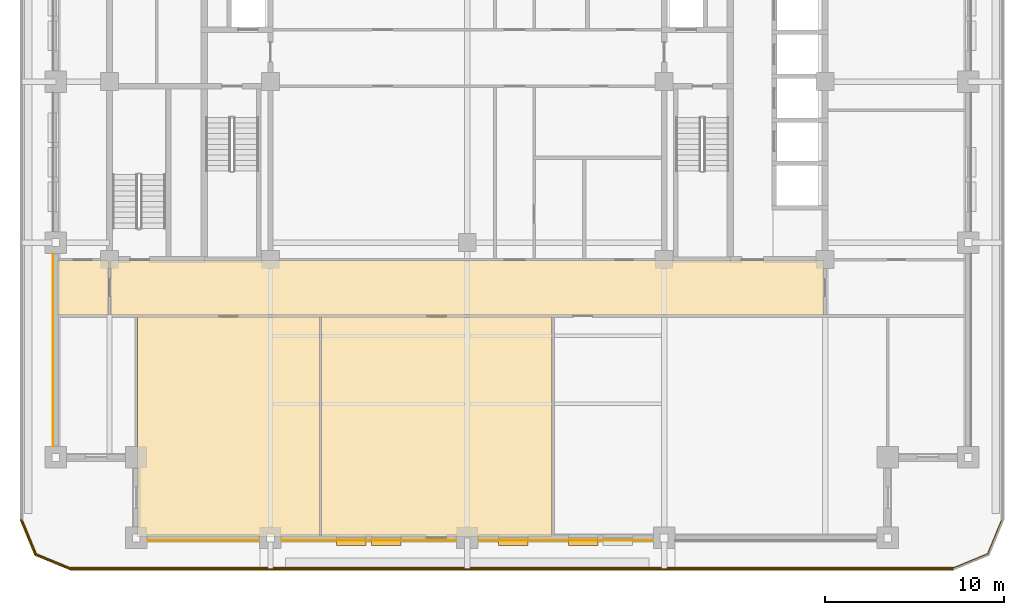
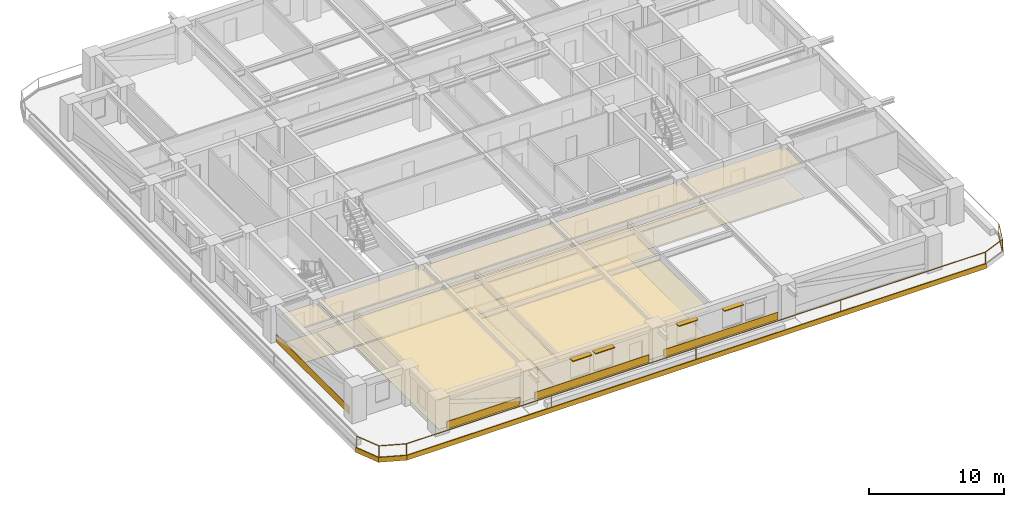
# One storey, part 8 of 14: 15 coverings, 4 shading devices, 1 railing.
"""IFC4 building model written with IfcOpenShell, lengths in metres."""

from ifc_helpers import new_model, si_unit, direction, frame, frame_2d, origin, origin_2d, place, context, subcontext, project, spatial, polyline, rectangle, outline, extrude, material, layer, layer_set, type_object, element, save


model = new_model("IFC4")

# Units and contexts
model_context = context("Model", 3, precision=1e-05, world=origin(), true_north=direction((0.0, 1.0)))
body_context = subcontext(model_context, "Body", "Model", "MODEL_VIEW")
ifc_project = project(units=[si_unit("LENGTHUNIT", "METRE"), si_unit("AREAUNIT", "SQUARE_METRE"), si_unit("VOLUMEUNIT", "CUBIC_METRE"), si_unit("PLANEANGLEUNIT", "RADIAN"), si_unit("MASSUNIT", "GRAM", prefix="KILO")], contexts=[model_context])

# Site, building, storey
site_placement = place(None, origin())
site = spatial("IfcSite", under=ifc_project, at=site_placement, CompositionType="ELEMENT")
building_placement = place(site_placement, origin())
building = spatial("IfcBuilding", under=site, at=building_placement, Name="Zulmaris Gate Convention Tower", CompositionType="ELEMENT")
storey_placement = place(building_placement, frame((0.0, 0.0, 94.929931640625)))
storey = spatial("IfcBuildingStorey", under=building, at=storey_placement, Name="L23", CompositionType="ELEMENT", Elevation=94.929931640625)

# Coverings
ifc_material_1 = material(Name="Precast concrete C40/50", Category="concrete")
ifc_layer_1 = layer(ifc_material_1, 0.0400390625, Name="Precast concrete C40/50")
ifc_layer_set_1 = layer_set([ifc_layer_1], Name="Precast concrete C40/50")
covering_type_1 = type_object("IfcCoveringType", Name="CLAD-SPANDREL-PRECAST", PredefinedType="CLADDING", material=ifc_layer_set_1)
covering_1_placement = place(storey_placement, frame((-17.8701171875, -25.64990234375, 0.0), z_axis=(0.0, 0.0, 1.0), x_axis=(1.0, 0.0, 0.0)))
element("IfcCovering", 1, at=covering_1_placement, inside=storey, type_object=covering_type_1, Name="CLD-L23-S-0_0", PredefinedType="CLADDING", context=body_context, shape_type="SweptSolid", body=[
    extrude(rectangle(XDim=6.240234375, YDim=0.0400390625, at=frame_2d((3.1201171875, 0.0))), origin(), (0.0, 0.0, 1.0), 0.679931640625),
])
for number, where, z_axis, x_axis, name in (
    (2, (-10.3701171875, -25.64990234375, 0.0), (0.0, 0.0, 1.0), (1.0, 0.0, 0.0), "CLD-L23-S-1_0"),
    (3, (0.6298828125, -25.64990234375, 0.0), (0.0, 0.0, 1.0), (1.0, 0.0, 0.0), "CLD-L23-S-2_0"),
):
    element("IfcCovering", number, at=place(storey_placement, frame(where, z_axis=z_axis, x_axis=x_axis)), inside=storey, type_object=covering_type_1, Name=name, PredefinedType="CLADDING", context=body_context, shape_type="SweptSolid", body=[
        extrude(rectangle(XDim=9.740234375, YDim=0.0400390625, at=frame_2d((4.8701171875, 0.0))), origin(), (0.0, 0.0, 1.0), 0.679931640625),
    ])
covering_2_placement = place(storey_placement, frame((-23.14990234375, -9.6298828125, 0.0), z_axis=(0.0, 0.0, 1.0), x_axis=(0.0, -1.0, 0.0)))
element("IfcCovering", 4, at=covering_2_placement, inside=storey, type_object=covering_type_1, Name="CLD-L23-W-0_0", PredefinedType="CLADDING", context=body_context, shape_type="SweptSolid", body=[
    extrude(rectangle(XDim=10.740234375, YDim=0.0400390625, at=frame_2d((5.3701171875, 0.0))), origin(), (0.0, 0.0, 1.0), 0.679931640625),
])
ifc_material_2 = material(Name="White Glazed Architectural Precast Concrete C40/50", Category="concrete")
ifc_layer_2 = layer(ifc_material_2, 0.080078125, Name="White Glazed Architectural Precast Concrete C40/50")
ifc_layer_set_2 = layer_set([ifc_layer_2], Name="White Glazed Architectural Precast Concrete C40/50")
covering_type_2 = type_object("IfcCoveringType", Name="CLAD-TRAY-FASCIA", PredefinedType="CLADDING", material=ifc_layer_set_2)
covering_3_placement = place(storey_placement, frame((-24.962890625, -24.484619140625, -0.2900390625), z_axis=(0.0, 0.0, 1.0), x_axis=(0.382656984709, -0.923890487046, 0.0)))
element("IfcCovering", 5, at=covering_3_placement, inside=storey, type_object=covering_type_2, Name="FSC-L23-TR-00", PredefinedType="CLADDING", context=body_context, shape_type="SweptSolid", body=[
    extrude(rectangle(XDim=2.14306640625, YDim=0.080078125, at=frame_2d((1.071533203125, 0.0))), origin(), (0.0, 0.0, 1.0), 0.43994140625),
])
covering_4_placement = place(storey_placement, frame((-24.16455078125, -26.44287109375, -0.2900390625), z_axis=(0.0, 0.0, 1.0), x_axis=(0.923873803533, -0.382697263049, 0.0)))
element("IfcCovering", 6, at=covering_4_placement, inside=storey, type_object=covering_type_2, Name="FSC-L23-TR-01", PredefinedType="CLADDING", context=body_context, shape_type="SweptSolid", body=[
    extrude(rectangle(XDim=2.142822265625, YDim=0.080078125, at=frame_2d((1.0712890625, 0.0))), origin(), (0.0, 0.0, 1.0), 0.43994140625),
])
covering_5_placement = place(storey_placement, frame((-22.199951171875, -27.260009765625, -0.2900390625), z_axis=(0.0, 0.0, 1.0), x_axis=(1.0, 0.0, 0.0)))
element("IfcCovering", 7, at=covering_5_placement, inside=storey, type_object=covering_type_2, Name="FSC-L23-TR-02", PredefinedType="CLADDING", context=body_context, shape_type="SweptSolid", body=[
    extrude(rectangle(XDim=49.39990234375, YDim=0.080078125, at=frame_2d((24.699951171875, 0.0))), origin(), (0.0, 0.0, 1.0), 0.43994140625),
])
ifc_material_3 = material(Name="Mineral Fibre Acoustic Ceiling Tile")
ifc_layer_3 = layer(ifc_material_3, 0.02001953125, Name="Mineral Fibre Acoustic Ceiling Tile")
ifc_layer_set_3 = layer_set([ifc_layer_3], Name="Mineral Fibre Acoustic Ceiling Tile")
covering_type_3 = type_object("IfcCoveringType", Name="CLG-ACOUSTIC-600", PredefinedType="CEILING", material=ifc_layer_set_3)
covering_6_placement = place(storey_placement, frame((0.0, 0.0, 2.753173828125)))
element("IfcCovering", 8, at=covering_6_placement, inside=storey, type_object=covering_type_3, Name="CLG-L23-R29", PredefinedType="CEILING", context=body_context, shape_type="SweptSolid", body=[
    extrude(outline(polyline([(-19.93994140625, -13.0400390625), (19.93994140625, -13.0400390625), (19.93994140625, -10.010009765625), (-19.93994140625, -10.010009765625), (-19.93994140625, -13.0400390625)])), origin(), (0.0, 0.0, 1.0), 0.019775390625),
])
covering_7_placement = place(storey_placement, frame((0.0, 0.0, 2.655029296875)))
element("IfcCovering", 9, at=covering_7_placement, inside=storey, type_object=covering_type_3, Name="CLG-L23-R39", PredefinedType="CEILING", context=body_context, shape_type="SweptSolid", body=[
    extrude(outline(polyline([(-18.43994140625, -25.43994140625), (-8.260009765625, -25.43994140625), (-8.260009765625, -13.159912109375), (-18.43994140625, -13.159912109375), (-18.43994140625, -25.43994140625)])), origin(), (0.0, 0.0, 1.0), 0.02001953125),
])
covering_8_placement = place(storey_placement, frame((0.0, 0.0, 2.655029296875)))
element("IfcCovering", 10, at=covering_8_placement, inside=storey, type_object=covering_type_3, Name="CLG-L23-R40", PredefinedType="CEILING", context=body_context, shape_type="SweptSolid", body=[
    extrude(outline(polyline([(-8.139892578125, -25.43994140625), (4.739990234375, -25.43994140625), (4.739990234375, -13.159912109375), (-8.139892578125, -13.159912109375), (-8.139892578125, -25.43994140625)])), origin(), (0.0, 0.0, 1.0), 0.02001953125),
])
covering_9_placement = place(storey_placement, frame((0.0, 0.0, 2.655029296875)))
element("IfcCovering", 11, at=covering_9_placement, inside=storey, type_object=covering_type_3, Name="CLG-L23-R50", PredefinedType="CEILING", context=body_context, shape_type="SweptSolid", body=[
    extrude(outline(polyline([(-22.93994140625, -13.0400390625), (-20.06005859375, -13.0400390625), (-20.06005859375, -10.010009765625), (-22.93994140625, -10.010009765625), (-22.93994140625, -13.0400390625)])), origin(), (0.0, 0.0, 1.0), 0.02001953125),
])
ifc_material_4 = material(Name="Woven Acoustic Wool Carpet Tile")
ifc_layer_4 = layer(ifc_material_4, 0.02001953125, Name="Woven Acoustic Wool Carpet Tile")
ifc_layer_set_4 = layer_set([ifc_layer_4], Name="Woven Acoustic Wool Carpet Tile")
covering_type_4 = type_object("IfcCoveringType", Name="FLR-CARPET-12", PredefinedType="FLOORING", material=ifc_layer_set_4)
covering_10_placement = place(storey_placement, origin())
element("IfcCovering", 12, at=covering_10_placement, inside=storey, type_object=covering_type_4, Name="FLR-L23-R29", PredefinedType="FLOORING", context=body_context, shape_type="SweptSolid", body=[
    extrude(outline(polyline([(-19.93994140625, -13.0400390625), (19.93994140625, -13.0400390625), (19.93994140625, -10.010009765625), (-19.93994140625, -10.010009765625), (-19.93994140625, -13.0400390625)])), origin(), (0.0, 0.0, 1.0), 0.02001953125),
])
covering_11_placement = place(storey_placement, origin())
element("IfcCovering", 13, at=covering_11_placement, inside=storey, type_object=covering_type_4, Name="FLR-L23-R39", PredefinedType="FLOORING", context=body_context, shape_type="SweptSolid", body=[
    extrude(outline(polyline([(-18.43994140625, -25.43994140625), (-8.260009765625, -25.43994140625), (-8.260009765625, -13.159912109375), (-18.43994140625, -13.159912109375), (-18.43994140625, -25.43994140625)])), origin(), (0.0, 0.0, 1.0), 0.02001953125),
])
covering_12_placement = place(storey_placement, origin())
element("IfcCovering", 14, at=covering_12_placement, inside=storey, type_object=covering_type_4, Name="FLR-L23-R40", PredefinedType="FLOORING", context=body_context, shape_type="SweptSolid", body=[
    extrude(outline(polyline([(-8.139892578125, -25.43994140625), (4.739990234375, -25.43994140625), (4.739990234375, -13.159912109375), (-8.139892578125, -13.159912109375), (-8.139892578125, -25.43994140625)])), origin(), (0.0, 0.0, 1.0), 0.02001953125),
])
covering_13_placement = place(storey_placement, origin())
element("IfcCovering", 15, at=covering_13_placement, inside=storey, type_object=covering_type_4, Name="FLR-L23-R50", PredefinedType="FLOORING", context=body_context, shape_type="SweptSolid", body=[
    extrude(outline(polyline([(-22.93994140625, -13.0400390625), (-20.06005859375, -13.0400390625), (-20.06005859375, -10.010009765625), (-22.93994140625, -10.010009765625), (-22.93994140625, -13.0400390625)])), origin(), (0.0, 0.0, 1.0), 0.02001953125),
])

# Railing
ifc_material_5 = material(Name="Laminated Glass and Stainless Steel", Category="steel")
railing_type = type_object("IfcRailingType", Name="RL-BALC-1150", PredefinedType="BALUSTRADE", material=ifc_material_5)
railing_placement = place(storey_placement, frame((-24.8798828125, -24.5, -0.010009765625)))
element("IfcRailing", 16, at=railing_placement, inside=storey, type_object=railing_type, Name="RL-L23-BALC-S", PredefinedType="BALUSTRADE", context=body_context, shape_type="SweptSolid", body=[
    extrude(rectangle(XDim=0.048095703125, YDim=0.048095703125, at=origin_2d()), frame((0.0, 0.0, 1.1259765625), z_axis=(0.382670664694, -0.92388482095, 0.0), x_axis=(0.92388482095, 0.382670664694, 0.0)), (0.0, 0.0, 1.0), 2.051025390625),
    extrude(rectangle(XDim=0.048095703125, YDim=0.048095703125, at=origin_2d()), frame((0.0, 0.0, 0.02392578125), z_axis=(0.382670664694, -0.92388482095, 0.0), x_axis=(0.92388482095, 0.382670664694, 0.0)), (0.0, 0.0, 1.0), 2.051025390625),
    extrude(rectangle(XDim=0.048095703125, YDim=0.048095703125, at=origin_2d()), frame((0.784912109375, -1.89501953125, 1.1259765625), z_axis=(0.92388482095, -0.382670664694, 0.0), x_axis=(0.382670664694, 0.92388482095, 0.0)), (0.0, 0.0, 1.0), 2.051025390625),
    extrude(rectangle(XDim=0.048095703125, YDim=0.048095703125, at=origin_2d()), frame((0.784912109375, -1.89501953125, 0.02392578125), z_axis=(0.92388482095, -0.382670664694, 0.0), x_axis=(0.382670664694, 0.92388482095, 0.0)), (0.0, 0.0, 1.0), 2.051025390625),
    extrude(rectangle(XDim=0.048095703125, YDim=0.048095703125, at=origin_2d()), frame((2.679931640625, -2.679931640625, 1.1259765625), z_axis=(1.0, 0.0, 0.0), x_axis=(0.0, 1.0, 0.0)), (0.0, 0.0, 1.0), 49.39990234375),
    extrude(rectangle(XDim=0.048095703125, YDim=0.048095703125, at=origin_2d()), frame((2.679931640625, -2.679931640625, 0.02392578125), z_axis=(1.0, 0.0, 0.0), x_axis=(0.0, 1.0, 0.0)), (0.0, 0.0, 1.0), 49.39990234375),
    extrude(rectangle(XDim=0.048095703125, YDim=0.048095703125, at=origin_2d()), frame((52.079833984375, -2.679931640625, 1.1259765625), z_axis=(0.92388482095, 0.382670664694, 0.0), x_axis=(-0.382670664694, 0.92388482095, 0.0)), (0.0, 0.0, 1.0), 2.051025390625),
    extrude(rectangle(XDim=0.048095703125, YDim=0.048095703125, at=origin_2d()), frame((52.079833984375, -2.679931640625, 0.02392578125), z_axis=(0.92388482095, 0.382670664694, 0.0), x_axis=(-0.382670664694, 0.92388482095, 0.0)), (0.0, 0.0, 1.0), 2.051025390625),
    extrude(rectangle(XDim=0.048095703125, YDim=0.048095703125, at=origin_2d()), frame((53.974853515625, -1.89501953125, 1.1259765625), z_axis=(0.382670664694, 0.92388482095, 0.0), x_axis=(-0.92388482095, 0.382670664694, 0.0)), (0.0, 0.0, 1.0), 2.051025390625),
    extrude(rectangle(XDim=0.048095703125, YDim=0.048095703125, at=origin_2d()), frame((53.974853515625, -1.89501953125, 0.02392578125), z_axis=(0.382670664694, 0.92388482095, 0.0), x_axis=(-0.92388482095, 0.382670664694, 0.0)), (0.0, 0.0, 1.0), 2.051025390625),
    extrude(rectangle(XDim=0.0419921875, YDim=0.0419921875, at=origin_2d()), origin(), (0.0, 0.0, 1.0), 1.101806640625),
    extrude(rectangle(XDim=0.0419921875, YDim=0.0419921875, at=origin_2d()), frame((0.784912109375, -1.89501953125, 0.0)), (0.0, 0.0, 1.0), 1.101806640625),
    extrude(rectangle(XDim=0.0419921875, YDim=0.0419921875, at=origin_2d()), frame((2.679931640625, -2.679931640625, 0.0)), (0.0, 0.0, 1.0), 1.101806640625),
    extrude(rectangle(XDim=0.0419921875, YDim=0.0419921875, at=origin_2d()), frame((15.02978515625, -2.679931640625, 0.0)), (0.0, 0.0, 1.0), 1.101806640625),
    extrude(rectangle(XDim=0.0419921875, YDim=0.0419921875, at=origin_2d()), frame((27.3798828125, -2.679931640625, 0.0)), (0.0, 0.0, 1.0), 1.101806640625),
    extrude(rectangle(XDim=0.0419921875, YDim=0.0419921875, at=origin_2d()), frame((39.72998046875, -2.679931640625, 0.0)), (0.0, 0.0, 1.0), 1.101806640625),
    extrude(rectangle(XDim=0.0419921875, YDim=0.0419921875, at=origin_2d()), frame((52.079833984375, -2.679931640625, 0.0)), (0.0, 0.0, 1.0), 1.101806640625),
    extrude(rectangle(XDim=0.0419921875, YDim=0.0419921875, at=origin_2d()), frame((53.974853515625, -1.89501953125, 0.0)), (0.0, 0.0, 1.0), 1.101806640625),
    extrude(rectangle(XDim=0.0419921875, YDim=0.0419921875, at=origin_2d()), frame((54.759765625, 0.0, 0.0)), (0.0, 0.0, 1.0), 1.101806640625),
])

# Shading devices
ifc_material_6 = material(Name="Glazed Ceramic Terracotta", Category="masonry")
ifc_layer_5 = layer(ifc_material_6, 0.070068359375, Name="Glazed Ceramic Terracotta")
ifc_layer_set_5 = layer_set([ifc_layer_5], Name="Glazed Ceramic Terracotta")
shading_device_type = type_object("IfcShadingDeviceType", Name="SHD-SUNSHADE-TC", PredefinedType="AWNING", material=ifc_layer_set_5)
for number, where, z_axis, x_axis, name in (
    (17, (-7.299072265625, -25.719970703125, 2.530029296875), (0.0, 0.0, 1.0), (1.0, 0.0, 0.0), "SHD-EW-L23-S-1_0-2"),
    (18, (-5.35107421875, -25.719970703125, 2.530029296875), (0.0, 0.0, 1.0), (1.0, 0.0, 0.0), "SHD-EW-L23-S-1_0-3"),
    (19, (1.7529296875, -25.719970703125, 2.530029296875), (0.0, 0.0, 1.0), (1.0, 0.0, 0.0), "SHD-EW-L23-S-2_0-1"),
    (20, (5.64892578125, -25.719970703125, 2.530029296875), (0.0, 0.0, 1.0), (1.0, 0.0, 0.0), "SHD-EW-L23-S-2_0-3"),
):
    element("IfcShadingDevice", number, at=place(storey_placement, frame(where, z_axis=z_axis, x_axis=x_axis)), inside=storey, type_object=shading_device_type, Name=name, PredefinedType="AWNING", context=body_context, shape_type="SweptSolid", body=[
        extrude(rectangle(XDim=1.650146484375, YDim=0.43994140625, at=frame_2d((0.8251953125, 0.0))), origin(), (0.0, 0.0, 1.0), 0.06982421875),
    ])

save(model, "model.ifc")
